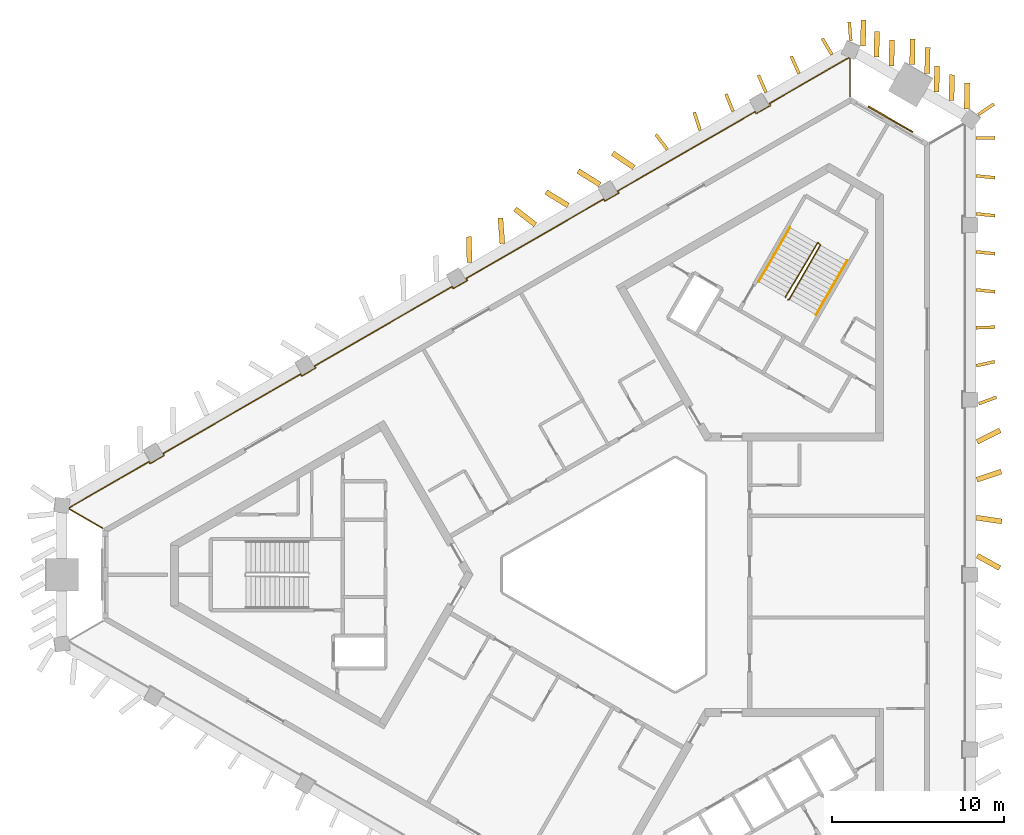
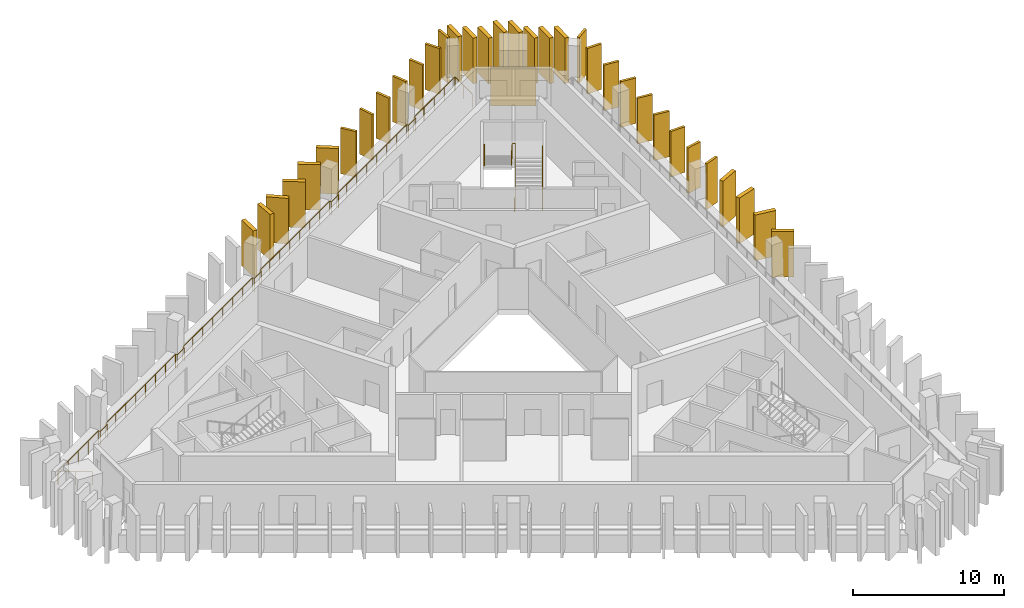
# One storey, part 9 of 9: 34 shading devices, 4 railings, 1 covering.
"""IFC4 building model written with IfcOpenShell, lengths in metres."""

from ifc_helpers import new_model, si_unit, direction, frame, frame_2d, origin, origin_2d, place, context, subcontext, project, spatial, rectangle, circle, extrude, material, layer, layer_set, type_object, element, save


model = new_model("IFC4")

# Units and contexts
model_context = context("Model", 3, precision=1e-05, world=origin(), true_north=direction((0.0, 1.0)))
body_context = subcontext(model_context, "Body", "Model", "MODEL_VIEW")
ifc_project = project(units=[si_unit("LENGTHUNIT", "METRE"), si_unit("AREAUNIT", "SQUARE_METRE"), si_unit("VOLUMEUNIT", "CUBIC_METRE"), si_unit("PLANEANGLEUNIT", "RADIAN"), si_unit("MASSUNIT", "GRAM", prefix="KILO")], contexts=[model_context])

# Site, building, storey
site_placement = place(None, origin())
site = spatial("IfcSite", under=ifc_project, at=site_placement, CompositionType="ELEMENT")
building_placement = place(site_placement, origin())
building = spatial("IfcBuilding", under=site, at=building_placement, Name="Jabali Bay Hotel Tower and Convention Centre", CompositionType="ELEMENT")
storey_placement = place(building_placement, frame((0.0, 0.0, 231.699951171875)))
storey = spatial("IfcBuildingStorey", under=building, at=storey_placement, Name="L57", CompositionType="ELEMENT", Elevation=231.699951171875)

# Railing
ifc_material_1 = material(Name="Glass", Category="glass")
railing_type_1 = type_object("IfcRailingType", Name="Loggia glass guard 1100", PredefinedType="BALUSTRADE", material=ifc_material_1)
railing_1_placement = place(storey_placement, frame((44.434326171875, 82.707763671875, 0.0)))
element("IfcRailing", 1, at=railing_1_placement, inside=storey, type_object=railing_type_1, Name="Loggia glass guard L57", PredefinedType="BALUSTRADE", context=body_context, shape_type="SweptSolid", body=[
    extrude(circle(Radius=0.02490234375, at=origin_2d()), frame((0.0, 0.0, 1.0751953125), z_axis=(-0.866008297462, 0.50002962785, 0.0), x_axis=(-0.495751805066, -0.858599476426, 0.13052619222)), (0.0, 0.0, 1.0), 2.247314453125),
    extrude(circle(Radius=0.02490234375, at=origin_2d()), frame((-1.9462890625, 1.123779296875, 1.0751953125), z_axis=(0.120005554105, 0.99277322032, 0.0), x_axis=(-0.984279907796, 0.118978889953, 0.13052619222)), (0.0, 0.0, 1.0), 0.067138671875),
    extrude(circle(Radius=0.02490234375, at=origin_2d()), frame((-1.938232421875, 1.1904296875, 1.0751953125), z_axis=(0.866028960544, 0.499993839462, 0.0), x_axis=(-0.495716322853, 0.858619962732, 0.13052619222)), (0.0, 0.0, 1.0), 5.34716796875),
    extrude(circle(Radius=0.02490234375, at=origin_2d()), frame((2.692626953125, 3.864013671875, 1.0751953125), z_axis=(0.500342721131, -0.865827443207, 0.0), x_axis=(0.858420169404, 0.496062219791, 0.13052619222)), (0.0, 0.0, 1.0), 0.125),
    extrude(circle(Radius=0.02490234375, at=origin_2d()), frame((2.755126953125, 3.755859375, 1.0751953125), z_axis=(0.866035761792, 0.499982058975, 0.0), x_axis=(-0.49570464315, 0.858626705795, 0.13052619222)), (0.0, 0.0, 1.0), 0.94970703125),
    extrude(circle(Radius=0.02490234375, at=origin_2d()), frame((3.57763671875, 4.230712890625, 1.0751953125), z_axis=(-0.499497219344, 0.8663154898, 0.0), x_axis=(-0.858904040691, -0.495223951389, 0.13052619222)), (0.0, 0.0, 1.0), 0.125244140625),
    extrude(circle(Radius=0.02490234375, at=origin_2d()), frame((3.51513671875, 4.339111328125, 1.0751953125), z_axis=(0.866031129197, 0.499990083164, 0.0), x_axis=(-0.495712598691, 0.858622112832, 0.13052619222)), (0.0, 0.0, 1.0), 9.239013671875),
    extrude(circle(Radius=0.02490234375, at=origin_2d()), frame((11.516357421875, 8.95849609375, 1.0751953125), z_axis=(0.500342721131, -0.865827443207, 0.0), x_axis=(0.858420169404, 0.496062219791, 0.13052619222)), (0.0, 0.0, 1.0), 0.125),
    extrude(circle(Radius=0.02490234375, at=origin_2d()), frame((11.578857421875, 8.850341796875, 1.0751953125), z_axis=(0.866100000774, 0.49987077196, 0.0), x_axis=(-0.495594308211, 0.858690395203, 0.13052619222)), (0.0, 0.0, 1.0), 0.949951171875),
    extrude(circle(Radius=0.02490234375, at=origin_2d()), frame((12.401611328125, 9.3251953125, 1.0751953125), z_axis=(-0.499497219344, 0.8663154898, 0.0), x_axis=(-0.858904040691, -0.495223951389, 0.13052619222)), (0.0, 0.0, 1.0), 0.125244140625),
    extrude(circle(Radius=0.02490234375, at=origin_2d()), frame((12.339111328125, 9.43359375, 1.0751953125), z_axis=(0.866031129197, 0.499990083164, 0.0), x_axis=(-0.495712598691, 0.858622112832, 0.13052619222)), (0.0, 0.0, 1.0), 9.239013671875),
    extrude(circle(Radius=0.02490234375, at=origin_2d()), frame((20.34033203125, 14.052978515625, 1.0751953125), z_axis=(0.500342721131, -0.865827443207, 0.0), x_axis=(0.858420169404, 0.496062219791, 0.13052619222)), (0.0, 0.0, 1.0), 0.125),
    extrude(circle(Radius=0.02490234375, at=origin_2d()), frame((20.40283203125, 13.94482421875, 1.0751953125), z_axis=(0.866100000774, 0.49987077196, 0.0), x_axis=(-0.495594308211, 0.858690395203, 0.13052619222)), (0.0, 0.0, 1.0), 0.949951171875),
    extrude(circle(Radius=0.02490234375, at=origin_2d()), frame((21.2255859375, 14.419677734375, 1.0751953125), z_axis=(-0.499497219344, 0.8663154898, 0.0), x_axis=(-0.858904040691, -0.495223951389, 0.13052619222)), (0.0, 0.0, 1.0), 0.125244140625),
    extrude(circle(Radius=0.02490234375, at=origin_2d()), frame((21.1630859375, 14.528076171875, 1.0751953125), z_axis=(0.866031129197, 0.499990083164, 0.0), x_axis=(-0.495712598691, 0.858622112832, 0.13052619222)), (0.0, 0.0, 1.0), 9.239013671875),
    extrude(circle(Radius=0.02490234375, at=origin_2d()), frame((29.164306640625, 19.1474609375, 1.0751953125), z_axis=(0.500342721131, -0.865827443207, 0.0), x_axis=(0.858420169404, 0.496062219791, 0.13052619222)), (0.0, 0.0, 1.0), 0.125),
    extrude(circle(Radius=0.02490234375, at=origin_2d()), frame((29.226806640625, 19.039306640625, 1.0751953125), z_axis=(0.866100000774, 0.49987077196, 0.0), x_axis=(-0.495594308211, 0.858690395203, 0.13052619222)), (0.0, 0.0, 1.0), 0.949951171875),
    extrude(circle(Radius=0.02490234375, at=origin_2d()), frame((30.049560546875, 19.51416015625, 1.0751953125), z_axis=(-0.499497219344, 0.8663154898, 0.0), x_axis=(-0.858904040691, -0.495223951389, 0.13052619222)), (0.0, 0.0, 1.0), 0.125244140625),
    extrude(circle(Radius=0.02490234375, at=origin_2d()), frame((29.987060546875, 19.62255859375, 1.0751953125), z_axis=(0.866031129197, 0.499990083164, 0.0), x_axis=(-0.495712598691, 0.858622112832, 0.13052619222)), (0.0, 0.0, 1.0), 9.239013671875),
    extrude(circle(Radius=0.02490234375, at=origin_2d()), frame((37.98828125, 24.241943359375, 1.0751953125), z_axis=(0.500342721131, -0.865827443207, 0.0), x_axis=(0.858420169404, 0.496062219791, 0.13052619222)), (0.0, 0.0, 1.0), 0.125),
    extrude(circle(Radius=0.02490234375, at=origin_2d()), frame((38.05078125, 24.1337890625, 1.0751953125), z_axis=(0.866100000774, 0.49987077196, 0.0), x_axis=(-0.495594308211, 0.858690395203, 0.13052619222)), (0.0, 0.0, 1.0), 0.949951171875),
    extrude(circle(Radius=0.02490234375, at=origin_2d()), frame((38.87353515625, 24.608642578125, 1.0751953125), z_axis=(-0.499497219344, 0.8663154898, 0.0), x_axis=(-0.858904040691, -0.495223951389, 0.13052619222)), (0.0, 0.0, 1.0), 0.125244140625),
    extrude(circle(Radius=0.02490234375, at=origin_2d()), frame((38.81103515625, 24.717041015625, 1.0751953125), z_axis=(0.866017545806, 0.500013610171, 0.0), x_axis=(-0.495735924421, 0.858608645649, 0.13052619222)), (0.0, 0.0, 1.0), 5.346923828125),
    extrude(circle(Radius=0.02490234375, at=origin_2d()), frame((43.441650390625, 27.390625, 1.0751953125), z_axis=(0.91970817197, -0.392602697916, 0.0), x_axis=(0.38924392741, 0.911839941063, 0.13052619222)), (0.0, 0.0, 1.0), 0.067138671875),
    extrude(circle(Radius=0.02490234375, at=origin_2d()), frame((43.50341796875, 27.3642578125, 1.0751953125), z_axis=(0.0, -1.0, 0.0), x_axis=(0.991444861374, 0.0, 0.13052619222)), (0.0, 0.0, 1.0), 2.24755859375),
    extrude(circle(Radius=0.02001953125, at=origin_2d()), origin(), (0.0, 0.0, 1.0), 1.050048828125),
    extrude(circle(Radius=0.02001953125, at=origin_2d()), frame((-0.97314453125, 0.56201171875, 0.0)), (0.0, 0.0, 1.0), 1.050048828125),
    extrude(circle(Radius=0.02001953125, at=origin_2d()), frame((-1.9462890625, 1.123779296875, 0.0)), (0.0, 0.0, 1.0), 1.050048828125),
    extrude(circle(Radius=0.02001953125, at=origin_2d()), frame((-1.938232421875, 1.1904296875, 0.0)), (0.0, 0.0, 1.0), 1.050048828125),
    extrude(circle(Radius=0.02001953125, at=origin_2d()), frame((-0.780517578125, 1.85888671875, 0.0)), (0.0, 0.0, 1.0), 1.050048828125),
    extrude(circle(Radius=0.02001953125, at=origin_2d()), frame((0.377197265625, 2.52734375, 0.0)), (0.0, 0.0, 1.0), 1.050048828125),
    extrude(circle(Radius=0.02001953125, at=origin_2d()), frame((1.534912109375, 3.195556640625, 0.0)), (0.0, 0.0, 1.0), 1.050048828125),
    extrude(circle(Radius=0.02001953125, at=origin_2d()), frame((2.692626953125, 3.864013671875, 0.0)), (0.0, 0.0, 1.0), 1.050048828125),
    extrude(circle(Radius=0.02001953125, at=origin_2d()), frame((2.755126953125, 3.755859375, 0.0)), (0.0, 0.0, 1.0), 1.050048828125),
    extrude(circle(Radius=0.02001953125, at=origin_2d()), frame((3.57763671875, 4.230712890625, 0.0)), (0.0, 0.0, 1.0), 1.050048828125),
    extrude(circle(Radius=0.02001953125, at=origin_2d()), frame((3.51513671875, 4.339111328125, 0.0)), (0.0, 0.0, 1.0), 1.050048828125),
    extrude(circle(Radius=0.02001953125, at=origin_2d()), frame((4.658203125, 4.9990234375, 0.0)), (0.0, 0.0, 1.0), 1.050048828125),
    extrude(circle(Radius=0.02001953125, at=origin_2d()), frame((5.80126953125, 5.658935546875, 0.0)), (0.0, 0.0, 1.0), 1.050048828125),
    extrude(circle(Radius=0.02001953125, at=origin_2d()), frame((6.9443359375, 6.31884765625, 0.0)), (0.0, 0.0, 1.0), 1.050048828125),
    extrude(circle(Radius=0.02001953125, at=origin_2d()), frame((8.087158203125, 6.978759765625, 0.0)), (0.0, 0.0, 1.0), 1.050048828125),
    extrude(circle(Radius=0.02001953125, at=origin_2d()), frame((9.230224609375, 7.638671875, 0.0)), (0.0, 0.0, 1.0), 1.050048828125),
    extrude(circle(Radius=0.02001953125, at=origin_2d()), frame((10.373291015625, 8.298583984375, 0.0)), (0.0, 0.0, 1.0), 1.050048828125),
    extrude(circle(Radius=0.02001953125, at=origin_2d()), frame((11.516357421875, 8.95849609375, 0.0)), (0.0, 0.0, 1.0), 1.050048828125),
    extrude(circle(Radius=0.02001953125, at=origin_2d()), frame((11.578857421875, 8.850341796875, 0.0)), (0.0, 0.0, 1.0), 1.050048828125),
    extrude(circle(Radius=0.02001953125, at=origin_2d()), frame((12.401611328125, 9.3251953125, 0.0)), (0.0, 0.0, 1.0), 1.050048828125),
    extrude(circle(Radius=0.02001953125, at=origin_2d()), frame((12.339111328125, 9.43359375, 0.0)), (0.0, 0.0, 1.0), 1.050048828125),
    extrude(circle(Radius=0.02001953125, at=origin_2d()), frame((13.482177734375, 10.093505859375, 0.0)), (0.0, 0.0, 1.0), 1.050048828125),
    extrude(circle(Radius=0.02001953125, at=origin_2d()), frame((14.625244140625, 10.75341796875, 0.0)), (0.0, 0.0, 1.0), 1.050048828125),
    extrude(circle(Radius=0.02001953125, at=origin_2d()), frame((15.768310546875, 11.413330078125, 0.0)), (0.0, 0.0, 1.0), 1.050048828125),
    extrude(circle(Radius=0.02001953125, at=origin_2d()), frame((16.9111328125, 12.0732421875, 0.0)), (0.0, 0.0, 1.0), 1.050048828125),
    extrude(circle(Radius=0.02001953125, at=origin_2d()), frame((18.05419921875, 12.733154296875, 0.0)), (0.0, 0.0, 1.0), 1.050048828125),
    extrude(circle(Radius=0.02001953125, at=origin_2d()), frame((19.197265625, 13.39306640625, 0.0)), (0.0, 0.0, 1.0), 1.050048828125),
    extrude(circle(Radius=0.02001953125, at=origin_2d()), frame((20.34033203125, 14.052978515625, 0.0)), (0.0, 0.0, 1.0), 1.050048828125),
    extrude(circle(Radius=0.02001953125, at=origin_2d()), frame((20.40283203125, 13.94482421875, 0.0)), (0.0, 0.0, 1.0), 1.050048828125),
    extrude(circle(Radius=0.02001953125, at=origin_2d()), frame((21.2255859375, 14.419677734375, 0.0)), (0.0, 0.0, 1.0), 1.050048828125),
    extrude(circle(Radius=0.02001953125, at=origin_2d()), frame((21.1630859375, 14.528076171875, 0.0)), (0.0, 0.0, 1.0), 1.050048828125),
    extrude(circle(Radius=0.02001953125, at=origin_2d()), frame((22.30615234375, 15.18798828125, 0.0)), (0.0, 0.0, 1.0), 1.050048828125),
    extrude(circle(Radius=0.02001953125, at=origin_2d()), frame((23.44921875, 15.847900390625, 0.0)), (0.0, 0.0, 1.0), 1.050048828125),
    extrude(circle(Radius=0.02001953125, at=origin_2d()), frame((24.59228515625, 16.5078125, 0.0)), (0.0, 0.0, 1.0), 1.050048828125),
    extrude(circle(Radius=0.02001953125, at=origin_2d()), frame((25.735107421875, 17.167724609375, 0.0)), (0.0, 0.0, 1.0), 1.050048828125),
    extrude(circle(Radius=0.02001953125, at=origin_2d()), frame((26.878173828125, 17.82763671875, 0.0)), (0.0, 0.0, 1.0), 1.050048828125),
    extrude(circle(Radius=0.02001953125, at=origin_2d()), frame((28.021240234375, 18.487548828125, 0.0)), (0.0, 0.0, 1.0), 1.050048828125),
    extrude(circle(Radius=0.02001953125, at=origin_2d()), frame((29.164306640625, 19.1474609375, 0.0)), (0.0, 0.0, 1.0), 1.050048828125),
    extrude(circle(Radius=0.02001953125, at=origin_2d()), frame((29.226806640625, 19.039306640625, 0.0)), (0.0, 0.0, 1.0), 1.050048828125),
    extrude(circle(Radius=0.02001953125, at=origin_2d()), frame((30.049560546875, 19.51416015625, 0.0)), (0.0, 0.0, 1.0), 1.050048828125),
    extrude(circle(Radius=0.02001953125, at=origin_2d()), frame((29.987060546875, 19.62255859375, 0.0)), (0.0, 0.0, 1.0), 1.050048828125),
    extrude(circle(Radius=0.02001953125, at=origin_2d()), frame((31.130126953125, 20.282470703125, 0.0)), (0.0, 0.0, 1.0), 1.050048828125),
    extrude(circle(Radius=0.02001953125, at=origin_2d()), frame((32.273193359375, 20.9423828125, 0.0)), (0.0, 0.0, 1.0), 1.050048828125),
    extrude(circle(Radius=0.02001953125, at=origin_2d()), frame((33.416259765625, 21.602294921875, 0.0)), (0.0, 0.0, 1.0), 1.050048828125),
    extrude(circle(Radius=0.02001953125, at=origin_2d()), frame((34.55908203125, 22.26220703125, 0.0)), (0.0, 0.0, 1.0), 1.050048828125),
    extrude(circle(Radius=0.02001953125, at=origin_2d()), frame((35.7021484375, 22.922119140625, 0.0)), (0.0, 0.0, 1.0), 1.050048828125),
    extrude(circle(Radius=0.02001953125, at=origin_2d()), frame((36.84521484375, 23.58203125, 0.0)), (0.0, 0.0, 1.0), 1.050048828125),
    extrude(circle(Radius=0.02001953125, at=origin_2d()), frame((37.98828125, 24.241943359375, 0.0)), (0.0, 0.0, 1.0), 1.050048828125),
    extrude(circle(Radius=0.02001953125, at=origin_2d()), frame((38.05078125, 24.1337890625, 0.0)), (0.0, 0.0, 1.0), 1.050048828125),
    extrude(circle(Radius=0.02001953125, at=origin_2d()), frame((38.87353515625, 24.608642578125, 0.0)), (0.0, 0.0, 1.0), 1.050048828125),
    extrude(circle(Radius=0.02001953125, at=origin_2d()), frame((38.81103515625, 24.717041015625, 0.0)), (0.0, 0.0, 1.0), 1.050048828125),
    extrude(circle(Radius=0.02001953125, at=origin_2d()), frame((39.96875, 25.385498046875, 0.0)), (0.0, 0.0, 1.0), 1.050048828125),
    extrude(circle(Radius=0.02001953125, at=origin_2d()), frame((41.12646484375, 26.0537109375, 0.0)), (0.0, 0.0, 1.0), 1.050048828125),
    extrude(circle(Radius=0.02001953125, at=origin_2d()), frame((42.283935546875, 26.72216796875, 0.0)), (0.0, 0.0, 1.0), 1.050048828125),
    extrude(circle(Radius=0.02001953125, at=origin_2d()), frame((43.441650390625, 27.390625, 0.0)), (0.0, 0.0, 1.0), 1.050048828125),
    extrude(circle(Radius=0.02001953125, at=origin_2d()), frame((43.50341796875, 27.3642578125, 0.0)), (0.0, 0.0, 1.0), 1.050048828125),
    extrude(circle(Radius=0.02001953125, at=origin_2d()), frame((43.50341796875, 26.240478515625, 0.0)), (0.0, 0.0, 1.0), 1.050048828125),
    extrude(circle(Radius=0.02001953125, at=origin_2d()), frame((43.50341796875, 25.11669921875, 0.0)), (0.0, 0.0, 1.0), 1.050048828125),
])

# Shading devices
ifc_material_2 = material(Name="Precast concrete C60", Category="concrete")
ifc_layer_1 = layer(ifc_material_2, 0.179931640625)
ifc_layer_set_1 = layer_set([ifc_layer_1], Name="Precast concrete C60")
shading_device_type_1 = type_object("IfcShadingDeviceType", Name="Precast fin 3680 x 1100", PredefinedType="USERDEFINED", material=ifc_layer_set_1)
shading_device_1_placement = place(storey_placement, frame((95.43408203125, 89.94921875, 0.010009765625), z_axis=(0.0, 0.0, 1.0), x_axis=(0.937663064806, 0.347545647216, 0.0)))
element("IfcShadingDevice", 2, at=shading_device_1_placement, inside=storey, type_object=shading_device_type_1, Name="Fin L57 016", ObjectType="FIN", PredefinedType="USERDEFINED", context=body_context, shape_type="SweptSolid", body=[
    extrude(rectangle(XDim=1.10009765625, YDim=0.179931640625, at=frame_2d((0.550048828125, 0.0))), origin(), (0.0, 0.0, 1.0), 3.679931640625),
])
for number, where, z_axis, x_axis, name in (
    (3, (95.2900390625, 92.16015625, 0.010009765625), (0.0, 0.0, 1.0), (0.975956718938, 0.217964407095, 0.0), "Fin L57 017"),
    (4, (95.273193359375, 94.37109375, 0.010009765625), (0.0, 0.0, 1.0), (0.999467580649, 0.032627522619, 0.0), "Fin L57 018"),
    (5, (95.280029296875, 96.58203125, 0.010009765625), (0.0, 0.0, 1.0), (0.994235860775, -0.107214985656, 0.0), "Fin L57 019"),
):
    element("IfcShadingDevice", number, at=place(storey_placement, frame(where, z_axis=z_axis, x_axis=x_axis)), inside=storey, type_object=shading_device_type_1, Name=name, ObjectType="FIN", PredefinedType="USERDEFINED", context=body_context, shape_type="SweptSolid", body=[
        extrude(rectangle(XDim=1.099853515625, YDim=0.179931640625, at=frame_2d((0.5498046875, 0.0))), origin(), (0.0, 0.0, 1.0), 3.679931640625),
    ])
for number, where, z_axis, x_axis, name in (
    (6, (95.27978515625, 98.79296875, 0.010009765625), (0.0, 0.0, 1.0), (0.994428578237, -0.105412536189, 0.0), "Fin L57 020"),
    (7, (95.279541015625, 101.00390625, 0.010009765625), (0.0, 0.0, 1.0), (0.994706666033, -0.102755284778, 0.0), "Fin L57 021"),
):
    element("IfcShadingDevice", number, at=place(storey_placement, frame(where, z_axis=z_axis, x_axis=x_axis)), inside=storey, type_object=shading_device_type_1, Name=name, ObjectType="FIN", PredefinedType="USERDEFINED", context=body_context, shape_type="SweptSolid", body=[
        extrude(rectangle(XDim=1.10009765625, YDim=0.179931640625, at=frame_2d((0.550048828125, 0.0))), origin(), (0.0, 0.0, 1.0), 3.679931640625),
    ])
shading_device_2_placement = place(storey_placement, frame((95.279541015625, 103.21484375, 0.010009765625), z_axis=(0.0, 0.0, 1.0), x_axis=(0.994819493518, -0.101657145924, 0.0)))
element("IfcShadingDevice", 8, at=shading_device_2_placement, inside=storey, type_object=shading_device_type_1, Name="Fin L57 022", ObjectType="FIN", PredefinedType="USERDEFINED", context=body_context, shape_type="SweptSolid", body=[
    extrude(rectangle(XDim=1.099853515625, YDim=0.179931640625, at=frame_2d((0.5498046875, 0.0))), origin(), (0.0, 0.0, 1.0), 3.679931640625),
])
for number, where, z_axis, x_axis, name in (
    (9, (95.2705078125, 105.42578125, 0.010009765625), (0.0, 0.0, 1.0), (0.999995838292, 0.002885030159, 0.0), "Fin L57 023"),
    (10, (86.8837890625, 110.268310546875, 0.010009765625), (0.0, 0.0, 1.0), (-0.508445157673, 0.861094374409, 0.0), "Fin L57 032"),
    (11, (84.96484375, 109.170166015625, 0.010009765625), (0.0, 0.0, 1.0), (-0.40636496566, 0.91371084851, 0.0), "Fin L57 033"),
    (12, (83.049560546875, 108.065185546875, 0.010009765625), (0.0, 0.0, 1.0), (-0.399456310506, 0.916752232611, 0.0), "Fin L57 034"),
):
    element("IfcShadingDevice", number, at=place(storey_placement, frame(where, z_axis=z_axis, x_axis=x_axis)), inside=storey, type_object=shading_device_type_1, Name=name, ObjectType="FIN", PredefinedType="USERDEFINED", context=body_context, shape_type="SweptSolid", body=[
        extrude(rectangle(XDim=1.10009765625, YDim=0.179931640625, at=frame_2d((0.550048828125, 0.0))), origin(), (0.0, 0.0, 1.0), 3.679931640625),
    ])
shading_device_3_placement = place(storey_placement, frame((81.1337890625, 106.961669921875, 0.010009765625), z_axis=(0.0, 0.0, 1.0), x_axis=(-0.37735329375, 0.926069377367, 0.0)))
element("IfcShadingDevice", 13, at=shading_device_3_placement, inside=storey, type_object=shading_device_type_1, Name="Fin L57 035", ObjectType="FIN", PredefinedType="USERDEFINED", context=body_context, shape_type="SweptSolid", body=[
    extrude(rectangle(XDim=1.099853515625, YDim=0.179931640625, at=frame_2d((0.5498046875, 0.0))), origin(), (0.0, 0.0, 1.0), 3.679931640625),
])
shading_device_4_placement = place(storey_placement, frame((79.216064453125, 105.861572265625, 0.010009765625), z_axis=(0.0, 0.0, 1.0), x_axis=(-0.311829902117, 0.950137943746, 0.0)))
element("IfcShadingDevice", 14, at=shading_device_4_placement, inside=storey, type_object=shading_device_type_1, Name="Fin L57 036", ObjectType="FIN", PredefinedType="USERDEFINED", context=body_context, shape_type="SweptSolid", body=[
    extrude(rectangle(XDim=1.10009765625, YDim=0.179931640625, at=frame_2d((0.550048828125, 0.0))), origin(), (0.0, 0.0, 1.0), 3.679931640625),
])
shading_device_5_placement = place(storey_placement, frame((77.3046875, 104.750244140625, 0.010009765625), z_axis=(0.0, 0.0, 1.0), x_axis=(-0.607960791132, 0.793967049975, 0.0)))
element("IfcShadingDevice", 15, at=shading_device_5_placement, inside=storey, type_object=shading_device_type_1, Name="Fin L57 037", ObjectType="FIN", PredefinedType="USERDEFINED", context=body_context, shape_type="SweptSolid", body=[
    extrude(rectangle(XDim=1.099853515625, YDim=0.179931640625, at=frame_2d((0.5498046875, 0.0))), origin(), (0.0, 0.0, 1.0), 3.679931640625),
])
for number, where, z_axis, x_axis, name in (
    (16, (95.40478515625, 106.777587890625, 0.010009765625), (0.0, 0.0, 1.0), (0.827066810298, 0.562103630396, 0.0), "Fin L57 097"),
    (17, (87.98779296875, 111.07421875, 0.010009765625), (0.0, 0.0, 1.0), (-0.086112440368, 0.996285424772, 0.0), "Fin L57 098"),
):
    element("IfcShadingDevice", number, at=place(storey_placement, frame(where, z_axis=z_axis, x_axis=x_axis)), inside=storey, type_object=shading_device_type_1, Name=name, ObjectType="FIN", PredefinedType="USERDEFINED", context=body_context, shape_type="SweptSolid", body=[
        extrude(rectangle(XDim=1.10009765625, YDim=0.179931640625, at=frame_2d((0.550048828125, 0.0))), origin(), (0.0, 0.0, 1.0), 3.679931640625),
    ])
ifc_layer_2 = layer(ifc_material_2, 0.300048828125)
ifc_layer_set_2 = layer_set([ifc_layer_2], Name="Precast concrete C60")
shading_device_type_2 = type_object("IfcShadingDeviceType", Name="Precast fin 3680 x 1500", PredefinedType="USERDEFINED", material=ifc_layer_set_2)
for number, where, z_axis, x_axis, name in (
    (18, (95.342529296875, 81.10546875, 0.010009765625), (0.0, 0.0, 1.0), (0.876298369105, -0.481768791335, 0.0), "Fin L57 012"),
    (19, (95.292236328125, 83.31640625, 0.010009765625), (0.0, 0.0, 1.0), (0.989308080173, -0.145840743638, 0.0), "Fin L57 013"),
    (20, (95.317626953125, 85.52734375, 0.010009765625), (0.0, 0.0, 1.0), (0.948683298051, 0.316227766017, 0.0), "Fin L57 014"),
    (21, (95.33642578125, 87.73828125, 0.010009765625), (0.0, 0.0, 1.0), (0.897851334095, 0.440298741611, 0.0), "Fin L57 015"),
):
    element("IfcShadingDevice", number, at=place(storey_placement, frame(where, z_axis=z_axis, x_axis=x_axis)), inside=storey, type_object=shading_device_type_2, Name=name, ObjectType="FIN", PredefinedType="USERDEFINED", context=body_context, shape_type="SweptSolid", body=[
        extrude(rectangle(XDim=1.5, YDim=0.300048828125, at=frame_2d((0.75, 0.0))), origin(), (0.0, 0.0, 1.0), 3.679931640625),
    ])
shading_device_6_placement = place(storey_placement, frame((94.729736328125, 107.1103515625, 0.010009765625), z_axis=(0.0, 0.0, 1.0), x_axis=(0.020347463549, 0.999792968933, 0.0)))
element("IfcShadingDevice", 22, at=shading_device_6_placement, inside=storey, type_object=shading_device_type_2, Name="Fin L57 024", ObjectType="FIN", PredefinedType="USERDEFINED", context=body_context, shape_type="SweptSolid", body=[
    extrude(rectangle(XDim=1.499755859375, YDim=0.300048828125, at=frame_2d((0.75, 0.0))), origin(), (0.0, 0.0, 1.0), 3.679931640625),
])
for number, where, z_axis, x_axis, name in (
    (23, (93.8466796875, 107.598876953125, 0.010009765625), (0.0, 0.0, 1.0), (0.020344152619, 0.99979303631, 0.0), "Fin L57 025"),
    (24, (92.972900390625, 108.103271484375, 0.010009765625), (0.0, 0.0, 1.0), (0.020344152619, 0.99979303631, 0.0), "Fin L57 026"),
    (25, (92.4306640625, 109.181640625, 0.010009765625), (0.0, 0.0, 1.0), (0.020181465953, 0.999796333476, 0.0), "Fin L57 027"),
    (26, (91.556884765625, 109.68603515625, 0.010009765625), (0.0, 0.0, 1.0), (0.020181465953, 0.999796333476, 0.0), "Fin L57 028"),
    (27, (90.351806640625, 109.61669921875, 0.010009765625), (0.0, 0.0, 1.0), (0.020181465953, 0.999796333476, 0.0), "Fin L57 029"),
):
    element("IfcShadingDevice", number, at=place(storey_placement, frame(where, z_axis=z_axis, x_axis=x_axis)), inside=storey, type_object=shading_device_type_2, Name=name, ObjectType="FIN", PredefinedType="USERDEFINED", context=body_context, shape_type="SweptSolid", body=[
        extrude(rectangle(XDim=1.5, YDim=0.300048828125, at=frame_2d((0.75, 0.0))), origin(), (0.0, 0.0, 1.0), 3.679931640625),
    ])
shading_device_7_placement = place(storey_placement, frame((89.47802734375, 110.121337890625, 0.010009765625), z_axis=(0.0, 0.0, 1.0), x_axis=(0.020347463549, 0.999792968933, 0.0)))
element("IfcShadingDevice", 28, at=shading_device_7_placement, inside=storey, type_object=shading_device_type_2, Name="Fin L57 030", ObjectType="FIN", PredefinedType="USERDEFINED", context=body_context, shape_type="SweptSolid", body=[
    extrude(rectangle(XDim=1.499755859375, YDim=0.300048828125, at=frame_2d((0.75, 0.0))), origin(), (0.0, 0.0, 1.0), 3.679931640625),
])
for number, where, z_axis, x_axis, name in (
    (29, (88.69482421875, 110.78271484375, 0.010009765625), (0.0, 0.0, 1.0), (0.020344152619, 0.99979303631, 0.0), "Fin L57 031"),
    (30, (75.36328125, 103.69091796875, 0.010009765625), (0.0, 0.0, 1.0), (-0.825686338843, 0.564129479683, 0.0), "Fin L57 038"),
    (31, (73.379638671875, 102.705078125, 0.010009765625), (0.0, 0.0, 1.0), (-0.848519123152, 0.529164716932, 0.0), "Fin L57 039"),
):
    element("IfcShadingDevice", number, at=place(storey_placement, frame(where, z_axis=z_axis, x_axis=x_axis)), inside=storey, type_object=shading_device_type_2, Name=name, ObjectType="FIN", PredefinedType="USERDEFINED", context=body_context, shape_type="SweptSolid", body=[
        extrude(rectangle(XDim=1.5, YDim=0.300048828125, at=frame_2d((0.75, 0.0))), origin(), (0.0, 0.0, 1.0), 3.679931640625),
    ])
shading_device_8_placement = place(storey_placement, frame((71.530517578125, 101.486083984375, 0.010009765625), z_axis=(0.0, 0.0, 1.0), x_axis=(-0.854085399606, 0.520132800522, 0.0)))
element("IfcShadingDevice", 32, at=shading_device_8_placement, inside=storey, type_object=shading_device_type_2, Name="Fin L57 040", ObjectType="FIN", PredefinedType="USERDEFINED", context=body_context, shape_type="SweptSolid", body=[
    extrude(rectangle(XDim=1.500244140625, YDim=0.300048828125, at=frame_2d((0.75, 0.0))), origin(), (0.0, 0.0, 1.0), 3.679931640625),
])
for number, where, z_axis, x_axis, name in (
    (33, (69.62353515625, 100.3671875, 0.010009765625), (0.0, 0.0, 1.0), (-0.789089215413, 0.614278609524, 0.0), "Fin L57 041"),
    (34, (67.70458984375, 99.268798828125, 0.010009765625), (0.0, 0.0, 1.0), (-0.077144538348, 0.997019919662, 0.0), "Fin L57 042"),
    (35, (65.7861328125, 98.169921875, 0.010009765625), (0.0, 0.0, 1.0), (-0.020344152619, 0.99979303631, 0.0), "Fin L57 043"),
):
    element("IfcShadingDevice", number, at=place(storey_placement, frame(where, z_axis=z_axis, x_axis=x_axis)), inside=storey, type_object=shading_device_type_2, Name=name, ObjectType="FIN", PredefinedType="USERDEFINED", context=body_context, shape_type="SweptSolid", body=[
        extrude(rectangle(XDim=1.5, YDim=0.300048828125, at=frame_2d((0.75, 0.0))), origin(), (0.0, 0.0, 1.0), 3.679931640625),
    ])

# Covering
ifc_material_3 = material(Name="Precast concrete C40/50", Category="concrete")
ifc_layer_3 = layer(ifc_material_3, 0.080078125)
ifc_layer_set_3 = layer_set([ifc_layer_3], Name="Precast concrete C40/50")
covering_type = type_object("IfcCoveringType", Name="Relief panel 3000 x 3100", PredefinedType="CLADDING", material=ifc_layer_set_3)
covering_placement = place(storey_placement, frame((90.302734375, 106.50537109375, 0.10009765625), z_axis=(0.0, 0.0, 1.0), x_axis=(0.866025453299, -0.499999914238, 0.0)))
element("IfcCovering", 36, at=covering_placement, inside=storey, type_object=covering_type, Name="Relief panel L57", PredefinedType="CLADDING", context=body_context, shape_type="SweptSolid", body=[
    extrude(rectangle(XDim=3.0, YDim=0.080078125, at=origin_2d()), origin(), (0.0, 0.0, 1.0), 3.10009765625),
])

# Railings
ifc_material_4 = material(Name="Steel Q355B", Category="steel")
railing_type_2 = type_object("IfcRailingType", Name="Stair guard 1100", PredefinedType="GUARDRAIL", material=ifc_material_4)
railing_2_placement = place(storey_placement, frame((84.329833984375, 96.010009765625, 0.0)))
element("IfcRailing", 37, at=railing_2_placement, inside=storey, type_object=railing_type_2, Name="L57 ST2 stair guard 1", PredefinedType="GUARDRAIL", context=body_context, shape_type="SweptSolid", body=[
    extrude(circle(Radius=0.02392578125, at=origin_2d()), frame((0.0, 0.0, 1.076171875), z_axis=(0.456201556387, 0.122196845461, 0.881446578591), x_axis=(-0.258736085224, 0.965948051503, 0.0)), (0.0, 0.0, 1.0), 0.14990234375),
    extrude(circle(Radius=0.02392578125, at=origin_2d()), frame((0.068359375, 0.018310546875, 1.2080078125), z_axis=(0.45217862506, 0.783169739339, 0.426825081763), x_axis=(-0.866018046521, 0.500012742938, 0.0)), (0.0, 0.0, 1.0), 4.025146484375),
    extrude(circle(Radius=0.02392578125, at=origin_2d()), frame((1.888427734375, 3.170654296875, 2.92626953125), z_axis=(-0.718850276695, 0.695164929852, 0.0), x_axis=(-0.695164929852, -0.718850276695, 0.0)), (0.0, 0.0, 1.0), 0.2060546875),
    extrude(circle(Radius=0.02392578125, at=origin_2d()), frame((1.740234375, 3.31396484375, 2.92626953125), z_axis=(-0.457457462341, -0.768067235091, 0.448113147015), x_axis=(0.859157857954, -0.511710636118, 0.0)), (0.0, 0.0, 1.0), 4.128173828125),
    extrude(circle(Radius=0.02099609375, at=origin_2d()), origin(), (0.0, 0.0, 1.0), 1.052001953125),
    extrude(circle(Radius=0.02099609375, at=origin_2d()), frame((0.068359375, 0.018310546875, 0.132080078125)), (0.0, 0.0, 1.0), 1.052001953125),
    extrude(circle(Radius=0.02099609375, at=origin_2d()), frame((0.5234375, 0.806396484375, 0.5615234375)), (0.0, 0.0, 1.0), 1.052001953125),
    extrude(circle(Radius=0.02099609375, at=origin_2d()), frame((0.978515625, 1.594482421875, 0.9912109375)), (0.0, 0.0, 1.0), 1.052001953125),
    extrude(circle(Radius=0.02099609375, at=origin_2d()), frame((1.433349609375, 2.382568359375, 1.420654296875)), (0.0, 0.0, 1.0), 1.052001953125),
    extrude(circle(Radius=0.02099609375, at=origin_2d()), frame((1.888427734375, 3.170654296875, 1.85009765625)), (0.0, 0.0, 1.0), 1.052001953125),
    extrude(circle(Radius=0.02099609375, at=origin_2d()), frame((1.740234375, 3.31396484375, 1.85009765625)), (0.0, 0.0, 1.0), 1.052001953125),
    extrude(circle(Radius=0.02099609375, at=origin_2d()), frame((1.26806640625, 2.521240234375, 2.3125)), (0.0, 0.0, 1.0), 1.052001953125),
    extrude(circle(Radius=0.02099609375, at=origin_2d()), frame((0.7958984375, 1.728515625, 2.77490234375)), (0.0, 0.0, 1.0), 1.052001953125),
    extrude(circle(Radius=0.02099609375, at=origin_2d()), frame((0.323974609375, 0.93603515625, 3.237548828125)), (0.0, 0.0, 1.0), 1.052001953125),
    extrude(circle(Radius=0.02099609375, at=origin_2d()), frame((-0.148193359375, 0.143310546875, 3.699951171875)), (0.0, 0.0, 1.0), 1.052001953125),
])
railing_type_3 = type_object("IfcRailingType", Name="Stair handrail 900", PredefinedType="HANDRAIL", material=ifc_material_4)
railing_3_placement = place(storey_placement, frame((85.95703125, 95.128173828125, 0.132080078125)))
element("IfcRailing", 38, at=railing_3_placement, inside=storey, type_object=railing_type_3, Name="L57 ST2 stair handrail 1", PredefinedType="HANDRAIL", context=body_context, shape_type="SweptSolid", body=[
    extrude(circle(Radius=0.02392578125, at=origin_2d()), frame((0.0, 0.0, 0.8759765625), z_axis=(0.45217862506, 0.783169739339, 0.426825081763), x_axis=(-0.866018046521, 0.500012742938, 0.0)), (0.0, 0.0, 1.0), 4.025146484375),
    extrude(circle(Radius=0.02099609375, at=origin_2d()), origin(), (0.0, 0.0, 1.0), 0.851806640625),
    extrude(circle(Radius=0.02099609375, at=origin_2d()), frame((0.455078125, 0.7880859375, 0.429443359375)), (0.0, 0.0, 1.0), 0.851806640625),
    extrude(circle(Radius=0.02099609375, at=origin_2d()), frame((0.91015625, 1.576171875, 0.85888671875)), (0.0, 0.0, 1.0), 0.851806640625),
    extrude(circle(Radius=0.02099609375, at=origin_2d()), frame((1.364990234375, 2.3642578125, 1.28857421875)), (0.0, 0.0, 1.0), 0.851806640625),
    extrude(circle(Radius=0.02099609375, at=origin_2d()), frame((1.820068359375, 3.15234375, 1.718017578125)), (0.0, 0.0, 1.0), 0.851806640625),
])
railing_4_placement = place(storey_placement, frame((84.44287109375, 100.20556640625, 1.982177734375)))
element("IfcRailing", 39, at=railing_4_placement, inside=storey, type_object=railing_type_3, Name="L57 ST2 stair handrail 2", PredefinedType="HANDRAIL", context=body_context, shape_type="SweptSolid", body=[
    extrude(circle(Radius=0.02392578125, at=origin_2d()), frame((0.0, 0.0, 0.8759765625), z_axis=(-0.452190331055, -0.783190014029, 0.426775475427), x_axis=(0.866018046521, -0.500012742938, 0.0)), (0.0, 0.0, 1.0), 4.02490234375),
    extrude(circle(Radius=0.02099609375, at=origin_2d()), origin(), (0.0, 0.0, 1.0), 0.851806640625),
    extrude(circle(Radius=0.02099609375, at=origin_2d()), frame((-0.455078125, -0.7880859375, 0.429443359375)), (0.0, 0.0, 1.0), 0.851806640625),
    extrude(circle(Radius=0.02099609375, at=origin_2d()), frame((-0.91015625, -1.576171875, 0.85888671875)), (0.0, 0.0, 1.0), 0.851806640625),
    extrude(circle(Radius=0.02099609375, at=origin_2d()), frame((-1.364990234375, -2.3642578125, 1.288330078125)), (0.0, 0.0, 1.0), 0.851806640625),
    extrude(circle(Radius=0.02099609375, at=origin_2d()), frame((-1.820068359375, -3.15234375, 1.7177734375)), (0.0, 0.0, 1.0), 0.851806640625),
])

save(model, "model.ifc")
